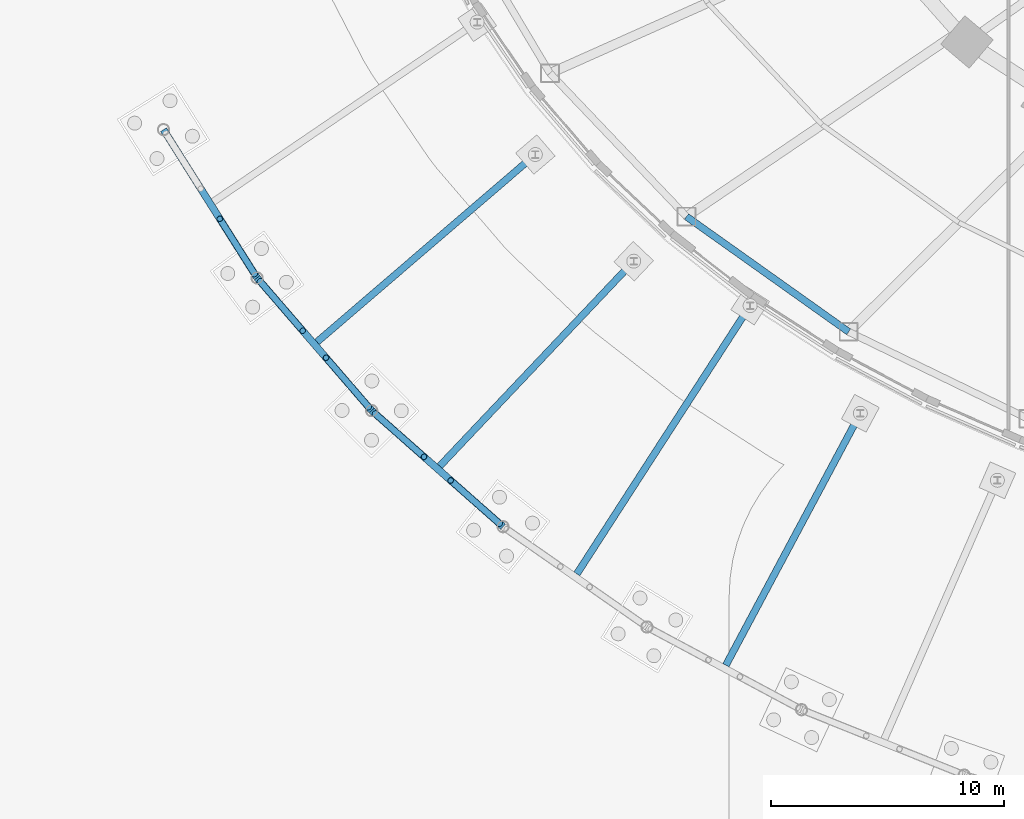
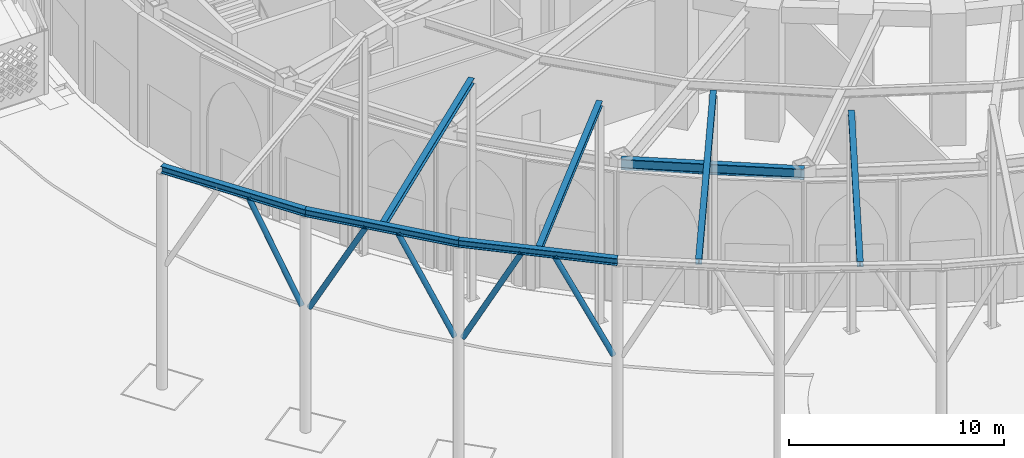
# One storey, part 18 of 79: 8 beams, 5 members.
"""IFC4 building model written with IfcOpenShell, lengths in metres."""

from ifc_helpers import new_model, si_unit, direction, frame, origin, origin_2d, place, context, subcontext, project, spatial, hollow_circle, i_section, extrude, material, material_profile, profile_set, type_object, element, save


model = new_model("IFC4")

# Units and contexts
model_context = context("Model", 3, precision=1e-05, world=origin(), true_north=direction((0.0, 1.0)))
body_context = subcontext(model_context, "Body", "Model", "MODEL_VIEW")
ifc_project = project(units=[si_unit("LENGTHUNIT", "METRE"), si_unit("AREAUNIT", "SQUARE_METRE"), si_unit("VOLUMEUNIT", "CUBIC_METRE"), si_unit("PLANEANGLEUNIT", "RADIAN"), si_unit("MASSUNIT", "GRAM", prefix="KILO")], contexts=[model_context])

# Site, building, storey
site_placement = place(None, origin())
site = spatial("IfcSite", under=ifc_project, at=site_placement, CompositionType="ELEMENT")
building_placement = place(site_placement, origin())
building = spatial("IfcBuilding", under=site, at=building_placement, Name="Noorbagh Ring Tower", CompositionType="ELEMENT")
storey_placement = place(building_placement, origin())
storey = spatial("IfcBuildingStorey", under=building, at=storey_placement, Name="L00", CompositionType="ELEMENT", Elevation=0.0)

# Members
ifc_material_1 = material(Name="Steel S355", Category="steel")
ifc_material_profile_1 = material_profile(ifc_material_1, hollow_circle(Radius=0.136474609375, WallThickness=0.012451171875, at=origin_2d()), Name="CHS273x12.5")
ifc_profile_set_1 = profile_set([ifc_material_profile_1], Name="Steel S355")
member_type = type_object("IfcMemberType", Name="GND-CANOPY-BRANCH", PredefinedType="BRACE", material=ifc_profile_set_1)
member_placement = place(storey_placement, frame((-56.385986328125, -28.144287109375, 6.873291015625), z_axis=(-0.252061231557, 0.399337125918, 0.881473196081), x_axis=(-0.845633897003, -0.533763348536, 0.0)))
element("IfcMember", 1, at=member_placement, inside=storey, type_object=member_type, Name="Canopy branch 2.1", PredefinedType="BRACE", context=body_context, shape_type="SweptSolid", body=[
    extrude(hollow_circle(Radius=0.136474609375, WallThickness=0.012451171875, at=origin_2d()), origin(), (0.0, 0.0, 1.0), 5.9296875),
])
for number, where, z_axis, x_axis, name in (
    (2, (-56.1484375, -28.464599609375, 6.873291015625), (0.308595633534, -0.357427444257, 0.881484178562), (0.756919066248, 0.653508628214, 0.0), "Canopy branch 2.2"),
    (3, (-51.48779296875, -33.86279296875, 6.873291015625), (-0.308595633534, 0.357427444257, 0.881484178562), (-0.756919066248, -0.653508628214, 0.0), "Canopy branch 3.1"),
):
    element("IfcMember", number, at=place(storey_placement, frame(where, z_axis=z_axis, x_axis=x_axis)), inside=storey, type_object=member_type, Name=name, PredefinedType="BRACE", context=body_context, shape_type="SweptSolid", body=[
        extrude(hollow_circle(Radius=0.136474609375, WallThickness=0.012451171875, at=origin_2d()), origin(), (0.0, 0.0, 1.0), 5.929443359375),
    ])
for number, where, z_axis, x_axis, name in (
    (4, (-51.207275390625, -34.146484375, 6.873291015625), (0.353884098186, -0.312669673254, 0.881478145207), (0.662120373146, 0.749397498972, 0.0), "Canopy branch 3.2"),
    (5, (-45.86279296875, -38.868408203125, 6.873291015625), (-0.353884098186, 0.312669673254, 0.881478145207), (-0.662120373146, -0.749397498972, 0.0), "Canopy branch 4.1"),
):
    element("IfcMember", number, at=place(storey_placement, frame(where, z_axis=z_axis, x_axis=x_axis)), inside=storey, type_object=member_type, Name=name, PredefinedType="BRACE", context=body_context, shape_type="SweptSolid", body=[
        extrude(hollow_circle(Radius=0.136474609375, WallThickness=0.012451171875, at=origin_2d()), origin(), (0.0, 0.0, 1.0), 5.9296875),
    ])

# Beams
ifc_material_2 = material(Name="Steel S355", Category="steel")
ifc_material_profile_2 = material_profile(ifc_material_2, i_section(OverallWidth=0.300048828125, OverallDepth=0.300048828125, WebThickness=0.010986328125, FlangeThickness=0.01904296875, FilletRadius=0.027099609375, at=origin_2d()), Name="HEB300")
ifc_profile_set_2 = profile_set([ifc_material_profile_2], Name="Steel S355")
beam_type_1 = type_object("IfcBeamType", Name="GND-CANOPY-LINK", PredefinedType="BEAM", material=ifc_profile_set_2)
beam_1_placement = place(storey_placement, frame((-44.3251953125, -23.014404296875, 12.300048828125), z_axis=(-0.75876703225, -0.651362104187, 0.0), x_axis=(0.651362104187, -0.75876703225, 0.0)))
element("IfcBeam", 6, at=beam_1_placement, inside=storey, type_object=beam_type_1, Name="Canopy link beam", PredefinedType="BEAM", context=body_context, shape_type="SweptSolid", body=[
    extrude(i_section(OverallWidth=0.300048828125, OverallDepth=0.300048828125, WebThickness=0.010986328125, FlangeThickness=0.01904296875, FilletRadius=0.027099609375, at=origin_2d()), origin(), (0.0, 0.0, 1.0), 12.361083984375),
])
beam_2_placement = place(storey_placement, frame((-40.098876953125, -27.59716796875, 12.300048828125), z_axis=(-0.687525600415, -0.726160139897, 0.0), x_axis=(0.726160139897, -0.687525600415, 0.0)))
element("IfcBeam", 7, at=beam_2_placement, inside=storey, type_object=beam_type_1, Name="Canopy link beam", PredefinedType="BEAM", context=body_context, shape_type="SweptSolid", body=[
    extrude(i_section(OverallWidth=0.300048828125, OverallDepth=0.300048828125, WebThickness=0.010986328125, FlangeThickness=0.01904296875, FilletRadius=0.027099609375, at=origin_2d()), origin(), (0.0, 0.0, 1.0), 12.120361328125),
])
beam_3_placement = place(storey_placement, frame((-35.09912109375, -29.50439453125, 12.300048828125), z_axis=(-0.542533804098, -0.840033970391, 0.0), x_axis=(0.840033970391, -0.542533804098, 0.0)))
element("IfcBeam", 8, at=beam_3_placement, inside=storey, type_object=beam_type_1, Name="Canopy link beam", PredefinedType="BEAM", context=body_context, shape_type="SweptSolid", body=[
    extrude(i_section(OverallWidth=0.300048828125, OverallDepth=0.300048828125, WebThickness=0.010986328125, FlangeThickness=0.01904296875, FilletRadius=0.027099609375, at=origin_2d()), origin(), (0.0, 0.0, 1.0), 13.7177734375),
])
beam_4_placement = place(storey_placement, frame((-30.3642578125, -34.12939453125, 12.300048828125), z_axis=(-0.470902190971, -0.882185426392, 0.0), x_axis=(0.882185426392, -0.470902190971, 0.0)))
element("IfcBeam", 9, at=beam_4_placement, inside=storey, type_object=beam_type_1, Name="Canopy link beam", PredefinedType="BEAM", context=body_context, shape_type="SweptSolid", body=[
    extrude(i_section(OverallWidth=0.300048828125, OverallDepth=0.300048828125, WebThickness=0.010986328125, FlangeThickness=0.01904296875, FilletRadius=0.027099609375, at=origin_2d()), origin(), (0.0, 0.0, 1.0), 12.2685546875),
])
ifc_material_3 = material(Name="Steel S355", Category="steel")
ifc_material_profile_3 = material_profile(ifc_material_3, i_section(OverallWidth=0.300048828125, OverallDepth=0.39990234375, WebThickness=0.013427734375, FlangeThickness=0.02392578125, FilletRadius=0.027099609375, at=origin_2d()), Name="HEB400")
ifc_profile_set_3 = profile_set([ifc_material_profile_3], Name="Steel S355")
beam_type_2 = type_object("IfcBeamType", Name="GND-CANOPY-RING", PredefinedType="BEAM", material=ifc_profile_set_3)
beam_5_placement = place(storey_placement, frame((-60.2978515625, -21.94677734375, 12.25), z_axis=(0.533768479391, -0.845630658389, 0.0), x_axis=(0.845630658389, 0.533768479391, 0.0)))
element("IfcBeam", 10, at=beam_5_placement, inside=storey, type_object=beam_type_2, Name="Canopy ring beam", PredefinedType="BEAM", context=body_context, shape_type="SweptSolid", body=[
    extrude(i_section(OverallWidth=0.300048828125, OverallDepth=0.39990234375, WebThickness=0.013427734375, FlangeThickness=0.02392578125, FilletRadius=0.027099609375, at=origin_2d()), origin(), (0.0, 0.0, 1.0), 7.528564453125),
])
for number, where, z_axis, x_axis, name in (
    (11, (-56.279296875, -28.313232421875, 12.25), (0.653512684312, -0.756915564276, 0.0), (0.756915564276, 0.653512684312, 0.0), "Canopy ring beam"),
    (12, (-51.357177734375, -34.01416015625, 12.25), (0.749405388458, -0.662111443603, 0.0), (0.662111443603, 0.749405388458, 0.0), "Canopy ring beam"),
):
    element("IfcBeam", number, at=place(storey_placement, frame(where, z_axis=z_axis, x_axis=x_axis)), inside=storey, type_object=beam_type_2, Name=name, PredefinedType="BEAM", context=body_context, shape_type="SweptSolid", body=[
        extrude(i_section(OverallWidth=0.300048828125, OverallDepth=0.39990234375, WebThickness=0.013427734375, FlangeThickness=0.02392578125, FilletRadius=0.027099609375, at=origin_2d()), origin(), (0.0, 0.0, 1.0), 7.53173828125),
    ])
ifc_material_4 = material(Name="Steel S355", Category="steel")
ifc_material_profile_4 = material_profile(ifc_material_4, i_section(OverallWidth=0.300048828125, OverallDepth=0.60009765625, WebThickness=0.015380859375, FlangeThickness=0.030029296875, FilletRadius=0.027099609375, at=origin_2d()), Name="HEB600")
ifc_profile_set_4 = profile_set([ifc_material_profile_4], Name="Steel S355")
beam_type_3 = type_object("IfcBeamType", Name="GND-EDGE-BEAM-HEB600", PredefinedType="BEAM", material=ifc_profile_set_4)
beam_6_placement = place(storey_placement, frame((-37.8330078125, -25.679931640625, 6.949951171875), z_axis=(0.815104059745, -0.579314570667, 0.0), x_axis=(0.579314570667, 0.815104059745, 0.0)))
element("IfcBeam", 13, at=beam_6_placement, inside=storey, type_object=beam_type_3, Name="L00/bm/ERP-21", PredefinedType="BEAM", context=body_context, shape_type="SweptSolid", body=[
    extrude(i_section(OverallWidth=0.300048828125, OverallDepth=0.60009765625, WebThickness=0.015380859375, FlangeThickness=0.030029296875, FilletRadius=0.027099609375, at=origin_2d()), origin(), (0.0, 0.0, 1.0), 8.543212890625),
])

save(model, "model.ifc")
